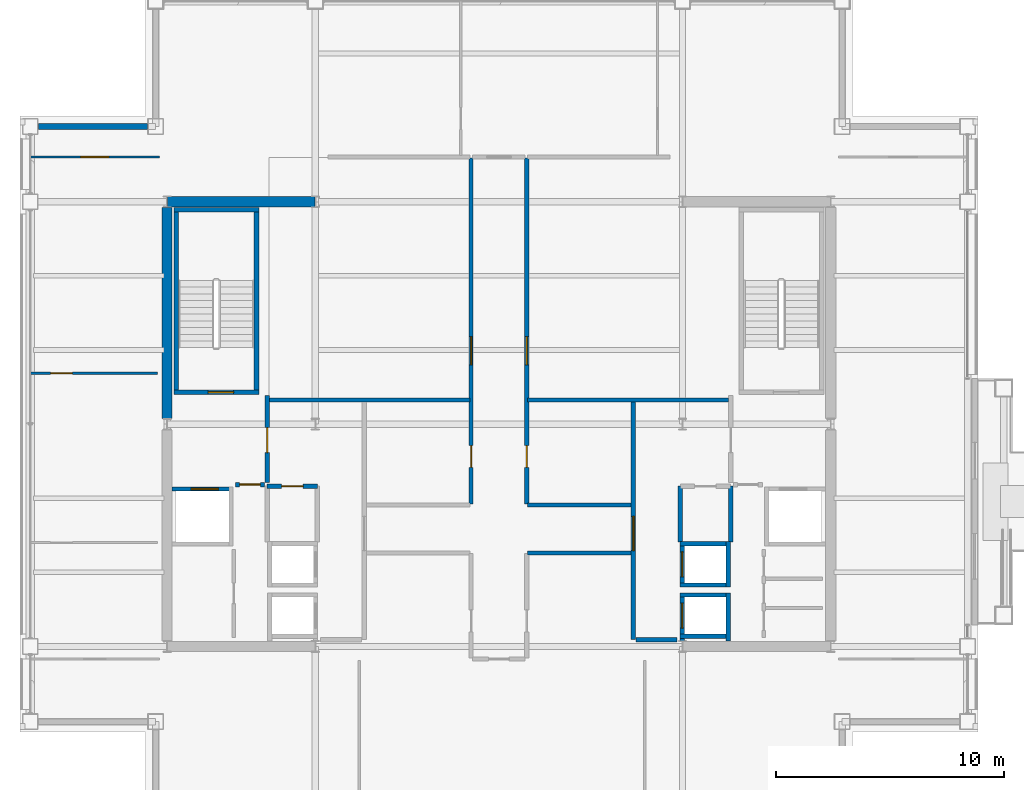
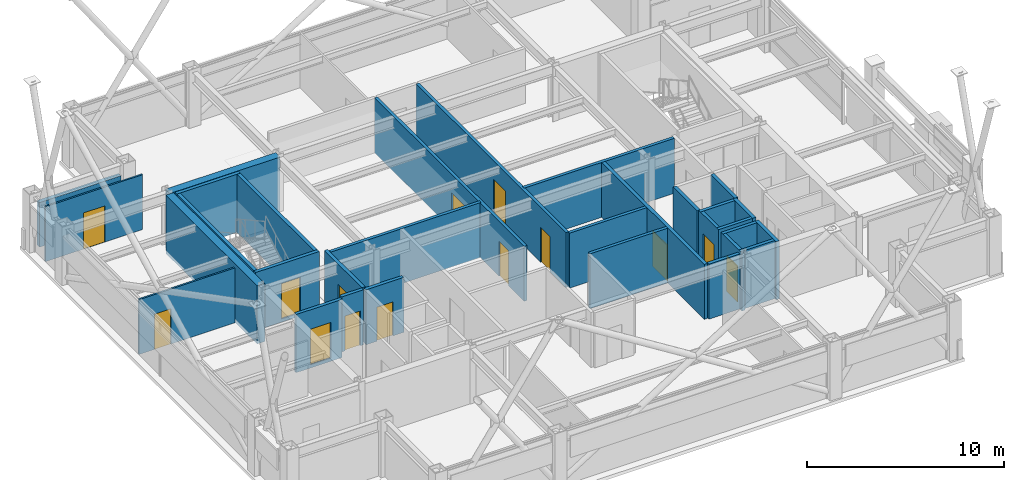
# One storey, part 29 of 33: 31 walls, 14 doors, 14 openings.
"""IFC4 building model written with IfcOpenShell, lengths in metres."""

from ifc_helpers import new_model, si_unit, direction, frame, frame_2d, origin, place, context, subcontext, project, spatial, rectangle, extrude, material, layer, layer_set, type_object, element, fill, save


model = new_model("IFC4")

# Units and contexts
model_context = context("Model", 3, precision=1e-05, world=origin(), true_north=direction((0.0, 1.0)))
body_context = subcontext(model_context, "Body", "Model", "MODEL_VIEW")
ifc_project = project(units=[si_unit("LENGTHUNIT", "METRE"), si_unit("AREAUNIT", "SQUARE_METRE"), si_unit("VOLUMEUNIT", "CUBIC_METRE"), si_unit("PLANEANGLEUNIT", "RADIAN"), si_unit("MASSUNIT", "GRAM", prefix="KILO")], contexts=[model_context])

# Site, building, storey
site_placement = place(None, origin())
site = spatial("IfcSite", under=ifc_project, at=site_placement, CompositionType="ELEMENT")
building_placement = place(site_placement, origin())
building = spatial("IfcBuilding", under=site, at=building_placement, Name="Brelmoor Portico Tower", CompositionType="ELEMENT")
storey_placement = place(building_placement, frame((0.0, 0.0, 183.89990234375)))
storey = spatial("IfcBuildingStorey", under=building, at=storey_placement, Name="L48", CompositionType="ELEMENT", Elevation=183.89990234375)

# Walls
ifc_material_1 = material(Name="Concrete C50", Category="concrete")
ifc_layer_1 = layer(ifc_material_1, 0.449951171875)
ifc_layer_set_1 = layer_set([ifc_layer_1], Name="Concrete C50")
wall_type_1 = type_object("IfcWallType", Name="WL-CORE-450", PredefinedType="SHEAR", material=ifc_layer_set_1)
wall_1_placement = place(storey_placement, frame((-14.530029296875, 9.75, -0.199951171875), z_axis=(0.0, 0.0, 1.0), x_axis=(1.0, 0.0, 0.0)))
element("IfcWall", 1, at=wall_1_placement, inside=storey, type_object=wall_type_1, Name="L48 WC North Shear Wall", PredefinedType="SHEAR", context=body_context, shape_type="SweptSolid", body=[
    extrude(rectangle(XDim=6.4599609375, YDim=0.449951171875, at=frame_2d((3.22998046875, 0.0))), origin(), (0.0, 0.0, 1.0), 3.60009765625),
])
wall_2_placement = place(storey_placement, frame((-14.550048828125, 0.25, -0.199951171875), z_axis=(0.0, 0.0, 1.0), x_axis=(0.0, 1.0, 0.0)))
element("IfcWall", 2, at=wall_2_placement, inside=storey, type_object=wall_type_1, Name="L48 WC Outer North Shear Wall", PredefinedType="SHEAR", context=body_context, shape_type="SweptSolid", body=[
    extrude(rectangle(XDim=9.25, YDim=0.449951171875, at=frame_2d((4.625, 0.0))), origin(), (0.0, 0.0, 1.0), 3.60009765625),
])
ifc_material_2 = material(Name="Precast Concrete C40 Insulated Facade Wall", Category="concrete")
ifc_layer_2 = layer(ifc_material_2, 0.25)
ifc_layer_set_2 = layer_set([ifc_layer_2], Name="Precast Concrete C40 Insulated Facade Wall")
wall_type_2 = type_object("IfcWallType", Name="WL-EXT-250", PredefinedType="STANDARD", material=ifc_layer_set_2)
wall_3_placement = place(storey_placement, frame((-20.18994140625, 13.050048828125, 0.0), z_axis=(0.0, 0.0, 1.0), x_axis=(1.0, 0.0, 0.0)))
element("IfcWall", 3, at=wall_3_placement, inside=storey, type_object=wall_type_2, Name="L48 Corner Notch Facade Wall NNWH1", PredefinedType="STANDARD", context=body_context, shape_type="SweptSolid", body=[
    extrude(rectangle(XDim=4.780029296875, YDim=0.25, at=frame_2d((2.39013671875, 0.0))), origin(), (0.0, 0.0, 1.0), 2.75),
])

# Wall, opening, door
ifc_material_3 = material(Name="Demountable Glazed Office Partition", Category="aluminium")
ifc_layer_3 = layer(ifc_material_3, 0.10009765625)
ifc_layer_set_3 = layer_set([ifc_layer_3], Name="Demountable Glazed Office Partition")
wall_type_3 = type_object("IfcWallType", Name="WL-PART-100", PredefinedType="PARTITIONING", material=ifc_layer_set_3)
wall_4_placement = place(storey_placement, frame((-20.56005859375, 11.7099609375, 0.0), z_axis=(0.0, 0.0, 1.0), x_axis=(1.0, 0.0, 0.0)))
wall_4 = element("IfcWall", 4, at=wall_4_placement, inside=storey, type_object=wall_type_3, Name="L48 North Wing Suite Wall WL", PredefinedType="PARTITIONING", context=body_context, shape_type="SweptSolid", body=[
    extrude(rectangle(XDim=5.68017578125, YDim=0.10009765625, at=frame_2d((2.840087890625, 0.0))), origin(), (0.0, 0.0, 1.0), 3.400146484375),
])
opening_1_placement = place(wall_4_placement, frame((2.219970703125, 0.0, 0.0)))
opening_1 = element("IfcOpeningElement", 5, at=opening_1_placement, cuts=wall_4, Name="Opening D-SU1", PredefinedType="OPENING", context=body_context, shape_type="SweptSolid", body=[
    extrude(rectangle(XDim=1.239990234375, YDim=2.239990234375, at=frame_2d((0.6201171875, 1.1201171875))), frame((0.0, 0.06005859375, 0.0), z_axis=(0.0, -1.0, 0.0), x_axis=(1.0, 0.0, 0.0)), (0.0, 0.0, 1.0), 0.1201171875),
])
ifc_material_4 = material(Name="Glazed Timber Executive Suite Door", Category="wood")
door_type_1 = type_object("IfcDoorType", Name="DR-SUITE-1200", OperationType="NOTDEFINED", PredefinedType="DOOR", material=ifc_material_4)
door_1_placement = place(opening_1_placement, origin())
door_1 = element("IfcDoor", 6, at=door_1_placement, inside=storey, type_object=door_type_1, Name="D-2046 L48 WL Wing Suite Connecting Door", OperationType="SINGLE_SWING_LEFT", OverallHeight=2.239990234375, OverallWidth=1.239990234375, PredefinedType="DOOR", context=body_context, shape_type="SweptSolid", body=[
    extrude(rectangle(XDim=1.239990234375, YDim=2.239990234375, at=frame_2d((0.6201171875, 1.1201171875))), frame((0.0, 0.02490234375, 0.0), z_axis=(0.0, -1.0, 0.0), x_axis=(1.0, 0.0, 0.0)), (0.0, 0.0, 1.0), 0.050048828125),
])
fill(opening_1, door_1)

wall_5_placement = place(storey_placement, frame((-20.56005859375, 2.234619140625, 0.0), z_axis=(0.0, 0.0, 1.0), x_axis=(1.0, 0.0, 0.0)))
wall_5 = element("IfcWall", 7, at=wall_5_placement, inside=storey, type_object=wall_type_3, Name="L48 W Wing Partition 2", PredefinedType="PARTITIONING", context=body_context, shape_type="SweptSolid", body=[
    extrude(rectangle(XDim=5.60009765625, YDim=0.10009765625, at=frame_2d((2.800048828125, 0.0))), origin(), (0.0, 0.0, 1.0), 3.400146484375),
])
opening_2_placement = place(wall_5_placement, frame((0.89990234375, 0.0, 0.0)))
opening_2 = element("IfcOpeningElement", 8, at=opening_2_placement, cuts=wall_5, Name="Opening D-IN2", PredefinedType="OPENING", context=body_context, shape_type="SweptSolid", body=[
    extrude(rectangle(XDim=0.9599609375, YDim=2.179931640625, at=frame_2d((0.47998046875, 1.08984375))), frame((0.0, 0.06005859375, 0.0), z_axis=(0.0, -1.0, 0.0), x_axis=(1.0, 0.0, 0.0)), (0.0, 0.0, 1.0), 0.1201171875),
])
ifc_material_5 = material(Name="Lacquered Timber Suite Door", Category="wood")
door_type_2 = type_object("IfcDoorType", Name="DR-INT-950", OperationType="NOTDEFINED", PredefinedType="DOOR", material=ifc_material_5)
door_2_placement = place(opening_2_placement, origin())
door_2 = element("IfcDoor", 9, at=door_2_placement, inside=storey, type_object=door_type_2, Name="D-2056 L48 W Wing Suite Connecting Door 2", OperationType="SINGLE_SWING_LEFT", OverallHeight=2.179931640625, OverallWidth=0.9599609375, PredefinedType="DOOR", context=body_context, shape_type="SweptSolid", body=[
    extrude(rectangle(XDim=0.9599609375, YDim=2.179931640625, at=frame_2d((0.47998046875, 1.08984375))), frame((0.0, 0.02490234375, 0.0), z_axis=(0.0, -1.0, 0.0), x_axis=(1.0, 0.0, 0.0)), (0.0, 0.0, 1.0), 0.050048828125),
])
fill(opening_2, door_2)

# Wall
ifc_material_6 = material(Name="Acoustic Corridor Fire Partition", Category="gypsum")
ifc_layer_4 = layer(ifc_material_6, 0.179931640625)
ifc_layer_set_4 = layer_set([ifc_layer_4], Name="Acoustic Corridor Fire Partition")
wall_type_4 = type_object("IfcWallType", Name="WL-PART-180", PredefinedType="PARTITIONING", material=ifc_layer_set_4)
wall_6_placement = place(storey_placement, frame((-10.050048828125, 1.050048828125, 0.0), z_axis=(0.0, 0.0, 1.0), x_axis=(1.0, 0.0, 0.0)))
element("IfcWall", 10, at=wall_6_placement, inside=storey, type_object=wall_type_4, Name="L48 West Reclaimed Suite South Wall", PredefinedType="PARTITIONING", context=body_context, shape_type="SweptSolid", body=[
    extrude(rectangle(XDim=8.7900390625, YDim=0.179931640625, at=frame_2d((4.39501953125, 0.0))), origin(), (0.0, 0.0, 1.0), 3.400146484375),
])

# Wall, openings, doors
wall_7_placement = place(storey_placement, frame((-1.219970703125, -3.5, 0.0), z_axis=(0.0, 0.0, 1.0), x_axis=(0.0, 1.0, 0.0)))
wall_7 = element("IfcWall", 11, at=wall_7_placement, inside=storey, type_object=wall_type_4, Name="L48 Central Cross West Wall", PredefinedType="PARTITIONING", context=body_context, shape_type="SweptSolid", body=[
    extrude(rectangle(XDim=15.169921875, YDim=0.179931640625, at=frame_2d((7.5849609375, 0.0))), origin(), (0.0, 0.0, 1.0), 3.400146484375),
])
opening_3_placement = place(wall_7_placement, frame((6.10009765625, 0.0, 0.0)))
opening_3 = element("IfcOpeningElement", 12, at=opening_3_placement, cuts=wall_7, Name="Opening D-SU1", PredefinedType="OPENING", context=body_context, shape_type="SweptSolid", body=[
    extrude(rectangle(XDim=1.239990234375, YDim=2.239990234375, at=frame_2d((0.6201171875, 1.1201171875))), frame((0.0, 0.099853515625, 0.0), z_axis=(0.0, -1.0, 0.0), x_axis=(1.0, 0.0, 0.0)), (0.0, 0.0, 1.0), 0.199951171875),
])
opening_4_placement = place(wall_7_placement, frame((1.60009765625, 0.0, 0.0)))
opening_4 = element("IfcOpeningElement", 13, at=opening_4_placement, cuts=wall_7, Name="Opening D-IN2", PredefinedType="OPENING", context=body_context, shape_type="SweptSolid", body=[
    extrude(rectangle(XDim=0.9599609375, YDim=2.179931640625, at=frame_2d((0.47998046875, 1.08984375))), frame((0.0, 0.099853515625, 0.0), z_axis=(0.0, -1.0, 0.0), x_axis=(1.0, 0.0, 0.0)), (0.0, 0.0, 1.0), 0.199951171875),
])
door_3_placement = place(opening_4_placement, origin())
door_3 = element("IfcDoor", 14, at=door_3_placement, inside=storey, type_object=door_type_2, Name="D-2028 L48 Staff Pantry Door", OperationType="SINGLE_SWING_LEFT", OverallHeight=2.179931640625, OverallWidth=0.9599609375, PredefinedType="DOOR", context=body_context, shape_type="SweptSolid", body=[
    extrude(rectangle(XDim=0.9599609375, YDim=2.179931640625, at=frame_2d((0.47998046875, 1.08984375))), frame((0.0, 0.02490234375, 0.0), z_axis=(0.0, -1.0, 0.0), x_axis=(1.0, 0.0, 0.0)), (0.0, 0.0, 1.0), 0.050048828125),
])
fill(opening_4, door_3)
door_4_placement = place(opening_3_placement, origin())
door_4 = element("IfcDoor", 15, at=door_4_placement, inside=storey, type_object=door_type_1, Name="D-2029 L48 West Reclaimed Studio Door", OperationType="SINGLE_SWING_RIGHT", OverallHeight=2.239990234375, OverallWidth=1.239990234375, PredefinedType="DOOR", context=body_context, shape_type="SweptSolid", body=[
    extrude(rectangle(XDim=1.239990234375, YDim=2.239990234375, at=frame_2d((0.6201171875, 1.1201171875))), frame((0.0, 0.02490234375, 0.0), z_axis=(0.0, -1.0, 0.0), x_axis=(1.0, 0.0, 0.0)), (0.0, 0.0, 1.0), 0.050048828125),
])
fill(opening_3, door_4)

# Wall
wall_8_placement = place(storey_placement, frame((1.260009765625, 1.050048828125, 0.0), z_axis=(0.0, 0.0, 1.0), x_axis=(1.0, 0.0, 0.0)))
element("IfcWall", 16, at=wall_8_placement, inside=storey, type_object=wall_type_4, Name="L48 East Suite South Wall", PredefinedType="PARTITIONING", context=body_context, shape_type="SweptSolid", body=[
    extrude(rectangle(XDim=8.800048828125, YDim=0.179931640625, at=frame_2d((4.39990234375, 0.0))), origin(), (0.0, 0.0, 1.0), 3.400146484375),
])

# Wall, openings, doors
wall_9_placement = place(storey_placement, frame((1.219970703125, -3.5, 0.0), z_axis=(0.0, 0.0, 1.0), x_axis=(0.0, 1.0, 0.0)))
wall_9 = element("IfcWall", 17, at=wall_9_placement, inside=storey, type_object=wall_type_4, Name="L48 Central Cross East Wall", PredefinedType="PARTITIONING", context=body_context, shape_type="SweptSolid", body=[
    extrude(rectangle(XDim=15.169921875, YDim=0.179931640625, at=frame_2d((7.5849609375, 0.0))), origin(), (0.0, 0.0, 1.0), 3.400146484375),
])
opening_5_placement = place(wall_9_placement, frame((6.10009765625, 0.0, 0.0)))
opening_5 = element("IfcOpeningElement", 18, at=opening_5_placement, cuts=wall_9, Name="Opening D-SU1", PredefinedType="OPENING", context=body_context, shape_type="SweptSolid", body=[
    extrude(rectangle(XDim=1.239990234375, YDim=2.239990234375, at=frame_2d((0.6201171875, 1.1201171875))), frame((0.0, 0.099853515625, 0.0), z_axis=(0.0, -1.0, 0.0), x_axis=(1.0, 0.0, 0.0)), (0.0, 0.0, 1.0), 0.199951171875),
])
opening_6_placement = place(wall_9_placement, frame((1.60009765625, 0.0, 0.0)))
opening_6 = element("IfcOpeningElement", 19, at=opening_6_placement, cuts=wall_9, Name="Opening D-IN2", PredefinedType="OPENING", context=body_context, shape_type="SweptSolid", body=[
    extrude(rectangle(XDim=0.9599609375, YDim=2.179931640625, at=frame_2d((0.47998046875, 1.08984375))), frame((0.0, 0.099853515625, 0.0), z_axis=(0.0, -1.0, 0.0), x_axis=(1.0, 0.0, 0.0)), (0.0, 0.0, 1.0), 0.199951171875),
])
door_5_placement = place(opening_6_placement, origin())
door_5 = element("IfcDoor", 20, at=door_5_placement, inside=storey, type_object=door_type_2, Name="D-2024 L48 Client Project Office Door", OperationType="SINGLE_SWING_LEFT", OverallHeight=2.179931640625, OverallWidth=0.9599609375, PredefinedType="DOOR", context=body_context, shape_type="SweptSolid", body=[
    extrude(rectangle(XDim=0.9599609375, YDim=2.179931640625, at=frame_2d((0.47998046875, 1.08984375))), frame((0.0, 0.02490234375, 0.0), z_axis=(0.0, -1.0, 0.0), x_axis=(1.0, 0.0, 0.0)), (0.0, 0.0, 1.0), 0.050048828125),
])
fill(opening_6, door_5)
door_6_placement = place(opening_5_placement, origin())
door_6 = element("IfcDoor", 21, at=door_6_placement, inside=storey, type_object=door_type_1, Name="D-2025 L48 East Reclaimed Studio Door", OperationType="SINGLE_SWING_RIGHT", OverallHeight=2.239990234375, OverallWidth=1.239990234375, PredefinedType="DOOR", context=body_context, shape_type="SweptSolid", body=[
    extrude(rectangle(XDim=1.239990234375, YDim=2.239990234375, at=frame_2d((0.6201171875, 1.1201171875))), frame((0.0, 0.02490234375, 0.0), z_axis=(0.0, -1.0, 0.0), x_axis=(1.0, 0.0, 0.0)), (0.0, 0.0, 1.0), 0.050048828125),
])
fill(opening_5, door_6)

# Walls
for number, where, z_axis, x_axis, name in (
    (22, (1.260009765625, -3.550048828125, 0.0), (0.0, 0.0, 1.0), (1.0, 0.0, 0.0), "L48 East Office South Wall"),
    (23, (1.260009765625, -5.64990234375, 0.0), (0.0, 0.0, 1.0), (1.0, 0.0, 0.0), "L48 South-East Chamber Top Wall"),
):
    element("IfcWall", number, at=place(storey_placement, frame(where, z_axis=z_axis, x_axis=x_axis)), inside=storey, type_object=wall_type_4, Name=name, PredefinedType="PARTITIONING", context=body_context, shape_type="SweptSolid", body=[
        extrude(rectangle(XDim=4.5400390625, YDim=0.179931640625, at=frame_2d((2.27001953125, 0.0))), origin(), (0.0, 0.0, 1.0), 3.400146484375),
    ])

# Wall, opening, door
ifc_material_7 = material(Name="Double-Stud Gypsum Fire Partition", Category="gypsum")
ifc_layer_5 = layer(ifc_material_7, 0.199951171875)
ifc_layer_set_5 = layer_set([ifc_layer_5], Name="Double-Stud Gypsum Fire Partition")
wall_type_5 = type_object("IfcWallType", Name="WL-PART-200", PredefinedType="PARTITIONING", material=ifc_layer_set_5)
wall_10_placement = place(storey_placement, frame((-10.159912109375, -2.550048828125, 0.0), z_axis=(0.0, 0.0, 1.0), x_axis=(0.0, 1.0, 0.0)))
wall_10 = element("IfcWall", 24, at=wall_10_placement, inside=storey, type_object=wall_type_5, Name="L48 W Firefighting Lobby Wall", PredefinedType="PARTITIONING", context=body_context, shape_type="SweptSolid", body=[
    extrude(rectangle(XDim=3.800048828125, YDim=0.199951171875, at=frame_2d((1.89990234375, 0.0))), origin(), (0.0, 0.0, 1.0), 3.400146484375),
])
opening_7_placement = place(wall_10_placement, frame((1.300048828125, 0.0, 0.0)))
opening_7 = element("IfcOpeningElement", 25, at=opening_7_placement, cuts=wall_10, Name="Opening D-FR1", PredefinedType="OPENING", context=body_context, shape_type="SweptSolid", body=[
    extrude(rectangle(XDim=1.10009765625, YDim=2.14990234375, at=frame_2d((0.550048828125, 1.074951171875))), frame((0.0, 0.10986328125, 0.0), z_axis=(0.0, -1.0, 0.0), x_axis=(1.0, 0.0, 0.0)), (0.0, 0.0, 1.0), 0.219970703125),
])
ifc_material_8 = material(Name="Painted Galvanised Steel Fire Door", Category="steel")
door_type_3 = type_object("IfcDoorType", Name="DR-FIRE-1100", OperationType="NOTDEFINED", PredefinedType="DOOR", material=ifc_material_8)
door_7_placement = place(opening_7_placement, origin())
door_7 = element("IfcDoor", 26, at=door_7_placement, inside=storey, type_object=door_type_3, Name="D-2039 L48 W Firefighting Lobby Door", OperationType="SINGLE_SWING_RIGHT", OverallHeight=2.14990234375, OverallWidth=1.10009765625, PredefinedType="DOOR", context=body_context, shape_type="SweptSolid", body=[
    extrude(rectangle(XDim=1.10009765625, YDim=2.14990234375, at=frame_2d((0.550048828125, 1.074951171875))), frame((0.0, 0.02490234375, 0.0), z_axis=(0.0, -1.0, 0.0), x_axis=(1.0, 0.0, 0.0)), (0.0, 0.0, 1.0), 0.050048828125),
])
fill(opening_7, door_7)

wall_11_placement = place(storey_placement, frame((-10.280029296875, -2.64990234375, 0.0), z_axis=(0.0, 0.0, 1.0), x_axis=(-1.0, 0.0, 0.0)))
wall_11 = element("IfcWall", 27, at=wall_11_placement, inside=storey, type_object=wall_type_5, Name="L48 W Firefighting Lobby South Wall", PredefinedType="PARTITIONING", context=body_context, shape_type="SweptSolid", body=[
    extrude(rectangle(XDim=1.27001953125, YDim=0.199951171875, at=frame_2d((0.635009765625, 0.0))), origin(), (0.0, 0.0, 1.0), 3.400146484375),
])
opening_8_placement = place(wall_11_placement, frame((0.18505859375, 0.0, 0.0)))
opening_8 = element("IfcOpeningElement", 28, at=opening_8_placement, cuts=wall_11, Name="Opening D-IN1", PredefinedType="OPENING", context=body_context, shape_type="SweptSolid", body=[
    extrude(rectangle(XDim=0.89990234375, YDim=2.14990234375, at=frame_2d((0.449951171875, 1.074951171875))), frame((0.0, 0.10986328125, 0.0), z_axis=(0.0, -1.0, 0.0), x_axis=(1.0, 0.0, 0.0)), (0.0, 0.0, 1.0), 0.219970703125),
])
door_type_4 = type_object("IfcDoorType", Name="DR-INT-900", OperationType="NOTDEFINED", PredefinedType="DOOR", material=ifc_material_5)
door_8_placement = place(opening_8_placement, origin())
door_8 = element("IfcDoor", 29, at=door_8_placement, inside=storey, type_object=door_type_4, Name="D-2034 L48 W Core Service Vestibule Door", OperationType="SINGLE_SWING_LEFT", OverallHeight=2.14990234375, OverallWidth=0.89990234375, PredefinedType="DOOR", context=body_context, shape_type="SweptSolid", body=[
    extrude(rectangle(XDim=0.89990234375, YDim=2.14990234375, at=frame_2d((0.449951171875, 1.074951171875))), frame((0.0, 0.02490234375, 0.0), z_axis=(0.0, -1.0, 0.0), x_axis=(1.0, 0.0, 0.0)), (0.0, 0.0, 1.0), 0.050048828125),
])
fill(opening_8, door_8)

wall_12_placement = place(storey_placement, frame((-7.9599609375, -2.719970703125, 0.0), z_axis=(0.0, 0.0, 1.0), x_axis=(-1.0, 0.0, 0.0)))
wall_12 = element("IfcWall", 30, at=wall_12_placement, inside=storey, type_object=wall_type_5, Name="L48 W Electrical Switchgear Closet Wall", PredefinedType="PARTITIONING", context=body_context, shape_type="SweptSolid", body=[
    extrude(rectangle(XDim=2.199951171875, YDim=0.199951171875, at=frame_2d((1.10009765625, 0.0))), origin(), (0.0, 0.0, 1.0), 3.400146484375),
])
opening_9_placement = place(wall_12_placement, frame((0.6201171875, 0.0, 0.0)))
opening_9 = element("IfcOpeningElement", 31, at=opening_9_placement, cuts=wall_12, Name="Opening D-FR4", PredefinedType="OPENING", context=body_context, shape_type="SweptSolid", body=[
    extrude(rectangle(XDim=0.949951171875, YDim=2.10009765625, at=frame_2d((0.47509765625, 1.050048828125))), frame((0.0, 0.10986328125, 0.0), z_axis=(0.0, -1.0, 0.0), x_axis=(1.0, 0.0, 0.0)), (0.0, 0.0, 1.0), 0.219970703125),
])
ifc_material_9 = material(Name="Painted Galvanised Steel Riser Door", Category="steel")
door_type_5 = type_object("IfcDoorType", Name="DR-FIRE-950", OperationType="NOTDEFINED", PredefinedType="DOOR", material=ifc_material_9)
door_9_placement = place(opening_9_placement, origin())
door_9 = element("IfcDoor", 32, at=door_9_placement, inside=storey, type_object=door_type_5, Name="D-2037 L48 W Electrical Switchgear Closet Door", OperationType="SINGLE_SWING_RIGHT", OverallHeight=2.10009765625, OverallWidth=0.949951171875, PredefinedType="DOOR", context=body_context, shape_type="SweptSolid", body=[
    extrude(rectangle(XDim=0.949951171875, YDim=2.10009765625, at=frame_2d((0.47509765625, 1.050048828125))), frame((0.0, 0.02490234375, 0.0), z_axis=(0.0, -1.0, 0.0), x_axis=(1.0, 0.0, 0.0)), (0.0, 0.0, 1.0), 0.050048828125),
])
fill(opening_9, door_9)

wall_13_placement = place(storey_placement, frame((5.89990234375, -9.449951171875, 0.0), z_axis=(0.0, 0.0, 1.0), x_axis=(0.0, 1.0, 0.0)))
wall_13 = element("IfcWall", 33, at=wall_13_placement, inside=storey, type_object=wall_type_5, Name="L48 E Core Lobby Compartment Wall", PredefinedType="PARTITIONING", context=body_context, shape_type="SweptSolid", body=[
    extrude(rectangle(XDim=10.5, YDim=0.199951171875, at=frame_2d((5.25, 0.0))), origin(), (0.0, 0.0, 1.0), 3.400146484375),
])
opening_10_placement = place(wall_13_placement, frame((3.89990234375, 0.0, 0.0)))
opening_10 = element("IfcOpeningElement", 34, at=opening_10_placement, cuts=wall_13, Name="Opening D-LB1", PredefinedType="OPENING", context=body_context, shape_type="SweptSolid", body=[
    extrude(rectangle(XDim=1.5, YDim=2.199951171875, at=frame_2d((0.75, 1.10009765625))), frame((0.0, 0.10986328125, 0.0), z_axis=(0.0, -1.0, 0.0), x_axis=(1.0, 0.0, 0.0)), (0.0, 0.0, 1.0), 0.219970703125),
])
ifc_material_10 = material(Name="Double-Leaf Glazed Steel Fire Door", Category="steel")
door_type_6 = type_object("IfcDoorType", Name="DR-LOBBY-1500", OperationType="NOTDEFINED", PredefinedType="DOOR", material=ifc_material_10)
door_10_placement = place(opening_10_placement, origin())
door_10 = element("IfcDoor", 35, at=door_10_placement, inside=storey, type_object=door_type_6, Name="D-2040 L48 E Lift Lobby Main Door", OperationType="DOUBLE_DOOR_SINGLE_SWING", OverallHeight=2.199951171875, OverallWidth=1.5, PredefinedType="DOOR", context=body_context, shape_type="SweptSolid", body=[
    extrude(rectangle(XDim=1.5, YDim=2.199951171875, at=frame_2d((0.75, 1.10009765625))), frame((0.0, 0.02490234375, 0.0), z_axis=(0.0, -1.0, 0.0), x_axis=(1.0, 0.0, 0.0)), (0.0, 0.0, 1.0), 0.050048828125),
])
fill(opening_10, door_10)

# Walls
wall_14_placement = place(storey_placement, frame((6.02001953125, -9.449951171875, 0.0), z_axis=(0.0, 0.0, 1.0), x_axis=(1.0, 0.0, 0.0)))
element("IfcWall", 36, at=wall_14_placement, inside=storey, type_object=wall_type_5, Name="L48 E Lift Lobby South End Wall", PredefinedType="PARTITIONING", context=body_context, shape_type="SweptSolid", body=[
    extrude(rectangle(XDim=1.800048828125, YDim=0.199951171875, at=frame_2d((0.89990234375, 0.0))), origin(), (0.0, 0.0, 1.0), 3.400146484375),
])
for number, where, z_axis, x_axis, name in (
    (37, (7.9599609375, -5.159912109375, 0.0), (0.0, 0.0, 1.0), (0.0, 1.0, 0.0), "L48 E Electrical Switchgear Closet Inner Wall"),
    (38, (10.159912109375, -5.159912109375, 0.0), (0.0, 0.0, 1.0), (0.0, 1.0, 0.0), "L48 E Electrical Switchgear Closet Outer Wall"),
):
    element("IfcWall", number, at=place(storey_placement, frame(where, z_axis=z_axis, x_axis=x_axis)), inside=storey, type_object=wall_type_5, Name=name, PredefinedType="PARTITIONING", context=body_context, shape_type="SweptSolid", body=[
        extrude(rectangle(XDim=2.43994140625, YDim=0.199951171875, at=frame_2d((1.219970703125, 0.0))), origin(), (0.0, 0.0, 1.0), 3.400146484375),
    ])

# Wall, opening, door
ifc_material_11 = material(Name="Precast Concrete C40", Category="concrete")
ifc_layer_6 = layer(ifc_material_11, 0.18994140625)
ifc_layer_set_6 = layer_set([ifc_layer_6], Name="Precast Concrete C40")
wall_type_6 = type_object("IfcWallType", Name="WL-SHAFT-180", PredefinedType="SOLIDWALL", material=ifc_layer_set_6)
wall_15_placement = place(storey_placement, frame((8.044921875, -9.52001953125, -0.199951171875), z_axis=(0.0, 0.0, 1.0), x_axis=(0.0, 1.0, 0.0)))
wall_15 = element("IfcWall", 39, at=wall_15_placement, inside=storey, type_object=wall_type_6, Name="L48 Lift PH3 Hoistway Front Wall", PredefinedType="SOLIDWALL", context=body_context, shape_type="SweptSolid", body=[
    extrude(rectangle(XDim=2.1201171875, YDim=0.18994140625, at=frame_2d((1.06005859375, 0.0))), origin(), (0.0, 0.0, 1.0), 3.60009765625),
])
opening_11_placement = place(wall_15_placement, frame((0.570068359375, 0.0, 0.199951171875)))
opening_11 = element("IfcOpeningElement", 40, at=opening_11_placement, cuts=wall_15, Name="Opening LD-01", PredefinedType="OPENING", context=body_context, shape_type="SweptSolid", body=[
    extrude(rectangle(XDim=1.10009765625, YDim=2.199951171875, at=frame_2d((0.550048828125, 1.10009765625))), frame((0.0, 0.10498046875, 0.0), z_axis=(0.0, -1.0, 0.0), x_axis=(1.0, 0.0, 0.0)), (0.0, 0.0, 1.0), 0.2099609375),
])
ifc_material_12 = material(Name="Brushed Stainless Steel Sliding Lift Door", Category="steel")
door_type_7 = type_object("IfcDoorType", Name="DR-LIFT-1100", OperationType="NOTDEFINED", PredefinedType="DOOR", material=ifc_material_12)
door_11_placement = place(opening_11_placement, origin())
door_11 = element("IfcDoor", 41, at=door_11_placement, inside=storey, type_object=door_type_7, Name="D-2061 L48 Lift PH3 Sliding Landing Door", OperationType="SLIDING_TO_LEFT", OverallHeight=2.199951171875, OverallWidth=1.10009765625, PredefinedType="DOOR", context=body_context, shape_type="SweptSolid", body=[
    extrude(rectangle(XDim=1.10009765625, YDim=2.199951171875, at=frame_2d((0.550048828125, 1.10009765625))), frame((0.0, 0.02490234375, 0.0), z_axis=(0.0, -1.0, 0.0), x_axis=(1.0, 0.0, 0.0)), (0.0, 0.0, 1.0), 0.050048828125),
])
fill(opening_11, door_11)

# Walls
wall_16_placement = place(storey_placement, frame((10.054931640625, -9.52001953125, -0.199951171875), z_axis=(0.0, 0.0, 1.0), x_axis=(0.0, 1.0, 0.0)))
element("IfcWall", 42, at=wall_16_placement, inside=storey, type_object=wall_type_6, Name="L48 Lift PH3 Hoistway Back Wall", PredefinedType="SOLIDWALL", context=body_context, shape_type="SweptSolid", body=[
    extrude(rectangle(XDim=2.1201171875, YDim=0.18994140625, at=frame_2d((1.06005859375, 0.0))), origin(), (0.0, 0.0, 1.0), 3.60009765625),
])
for number, where, z_axis, x_axis, name in (
    (43, (7.949951171875, -7.4951171875, -0.199951171875), (0.0, 0.0, 1.0), (1.0, 0.0, 0.0), "L48 Lift PH3 Hoistway North Wall"),
    (44, (7.949951171875, -9.304931640625, -0.199951171875), (0.0, 0.0, 1.0), (1.0, 0.0, 0.0), "L48 Lift PH3 Hoistway South Wall"),
):
    element("IfcWall", number, at=place(storey_placement, frame(where, z_axis=z_axis, x_axis=x_axis)), inside=storey, type_object=wall_type_6, Name=name, PredefinedType="SOLIDWALL", context=body_context, shape_type="SweptSolid", body=[
        extrude(rectangle(XDim=2.199951171875, YDim=0.18994140625, at=frame_2d((1.10009765625, 0.0))), origin(), (0.0, 0.0, 1.0), 3.60009765625),
    ])

# Wall, opening, door
wall_17_placement = place(storey_placement, frame((8.044921875, -7.14990234375, -0.199951171875), z_axis=(0.0, 0.0, 1.0), x_axis=(0.0, 1.0, 0.0)))
wall_17 = element("IfcWall", 45, at=wall_17_placement, inside=storey, type_object=wall_type_6, Name="L48 Lift PH4 Hoistway Front Wall", PredefinedType="SOLIDWALL", context=body_context, shape_type="SweptSolid", body=[
    extrude(rectangle(XDim=2.0, YDim=0.18994140625, at=frame_2d((1.0, 0.0))), origin(), (0.0, 0.0, 1.0), 3.60009765625),
])
opening_12_placement = place(wall_17_placement, frame((0.449951171875, 0.0, 0.199951171875)))
opening_12 = element("IfcOpeningElement", 46, at=opening_12_placement, cuts=wall_17, Name="Opening LD-01", PredefinedType="OPENING", context=body_context, shape_type="SweptSolid", body=[
    extrude(rectangle(XDim=1.10009765625, YDim=2.199951171875, at=frame_2d((0.550048828125, 1.10009765625))), frame((0.0, 0.10498046875, 0.0), z_axis=(0.0, -1.0, 0.0), x_axis=(1.0, 0.0, 0.0)), (0.0, 0.0, 1.0), 0.2099609375),
])
door_12_placement = place(opening_12_placement, origin())
door_12 = element("IfcDoor", 47, at=door_12_placement, inside=storey, type_object=door_type_7, Name="D-2062 L48 Lift PH4 Sliding Landing Door", OperationType="SLIDING_TO_LEFT", OverallHeight=2.199951171875, OverallWidth=1.10009765625, PredefinedType="DOOR", context=body_context, shape_type="SweptSolid", body=[
    extrude(rectangle(XDim=1.10009765625, YDim=2.199951171875, at=frame_2d((0.550048828125, 1.10009765625))), frame((0.0, 0.02490234375, 0.0), z_axis=(0.0, -1.0, 0.0), x_axis=(1.0, 0.0, 0.0)), (0.0, 0.0, 1.0), 0.050048828125),
])
fill(opening_12, door_12)

# Walls
wall_18_placement = place(storey_placement, frame((10.054931640625, -7.14990234375, -0.199951171875), z_axis=(0.0, 0.0, 1.0), x_axis=(0.0, 1.0, 0.0)))
element("IfcWall", 48, at=wall_18_placement, inside=storey, type_object=wall_type_6, Name="L48 Lift PH4 Hoistway Back Wall", PredefinedType="SOLIDWALL", context=body_context, shape_type="SweptSolid", body=[
    extrude(rectangle(XDim=2.0, YDim=0.18994140625, at=frame_2d((1.0, 0.0))), origin(), (0.0, 0.0, 1.0), 3.60009765625),
])
for number, where, z_axis, x_axis, name in (
    (49, (7.949951171875, -5.2451171875, -0.199951171875), (0.0, 0.0, 1.0), (1.0, 0.0, 0.0), "L48 Lift PH4 Hoistway North Wall"),
    (50, (7.949951171875, -7.054931640625, -0.199951171875), (0.0, 0.0, 1.0), (1.0, 0.0, 0.0), "L48 Lift PH4 Hoistway South Wall"),
):
    element("IfcWall", number, at=place(storey_placement, frame(where, z_axis=z_axis, x_axis=x_axis)), inside=storey, type_object=wall_type_6, Name=name, PredefinedType="SOLIDWALL", context=body_context, shape_type="SweptSolid", body=[
        extrude(rectangle(XDim=2.199951171875, YDim=0.18994140625, at=frame_2d((1.10009765625, 0.0))), origin(), (0.0, 0.0, 1.0), 3.60009765625),
    ])

# Wall, opening, door
wall_19_placement = place(storey_placement, frame((-14.330078125, -2.844970703125, -0.199951171875), z_axis=(0.0, 0.0, 1.0), x_axis=(1.0, 0.0, 0.0)))
wall_19 = element("IfcWall", 51, at=wall_19_placement, inside=storey, type_object=wall_type_6, Name="L48 Lift FF1 Hoistway Front Wall", PredefinedType="SOLIDWALL", context=body_context, shape_type="SweptSolid", body=[
    extrude(rectangle(XDim=2.68017578125, YDim=0.18994140625, at=frame_2d((1.340087890625, 0.0))), origin(), (0.0, 0.0, 1.0), 3.60009765625),
])
opening_13_placement = place(wall_19_placement, frame((0.830078125, 0.0, 0.199951171875)))
opening_13 = element("IfcOpeningElement", 52, at=opening_13_placement, cuts=wall_19, Name="Opening LD-02", PredefinedType="OPENING", context=body_context, shape_type="SweptSolid", body=[
    extrude(rectangle(XDim=1.199951171875, YDim=2.199951171875, at=frame_2d((0.60009765625, 1.10009765625))), frame((0.0, 0.10498046875, 0.0), z_axis=(0.0, -1.0, 0.0), x_axis=(1.0, 0.0, 0.0)), (0.0, 0.0, 1.0), 0.2099609375),
])
ifc_material_13 = material(Name="Brushed Stainless Steel Firefighting Lift Door", Category="steel")
door_type_8 = type_object("IfcDoorType", Name="DR-LIFT-1200", OperationType="NOTDEFINED", PredefinedType="DOOR", material=ifc_material_13)
door_13_placement = place(opening_13_placement, origin())
door_13 = element("IfcDoor", 53, at=door_13_placement, inside=storey, type_object=door_type_8, Name="D-2057 L48 Lift FF1 Sliding Landing Door", OperationType="SLIDING_TO_LEFT", OverallHeight=2.199951171875, OverallWidth=1.199951171875, PredefinedType="DOOR", context=body_context, shape_type="SweptSolid", body=[
    extrude(rectangle(XDim=1.199951171875, YDim=2.199951171875, at=frame_2d((0.60009765625, 1.10009765625))), frame((0.0, 0.02490234375, 0.0), z_axis=(0.0, -1.0, 0.0), x_axis=(1.0, 0.0, 0.0)), (0.0, 0.0, 1.0), 0.050048828125),
])
fill(opening_13, door_13)

# Wall
ifc_material_14 = material(Name="Concrete C40", Category="concrete")
ifc_layer_7 = layer(ifc_material_14, 0.199951171875)
ifc_layer_set_7 = layer_set([ifc_layer_7], Name="Concrete C40")
wall_type_7 = type_object("IfcWallType", Name="WL-SHAFT-RC200", PredefinedType="SOLIDWALL", material=ifc_layer_set_7)
wall_20_placement = place(storey_placement, frame((-14.14990234375, 1.5, -0.199951171875), z_axis=(0.0, 0.0, 1.0), x_axis=(0.0, 1.0, 0.0)))
element("IfcWall", 54, at=wall_20_placement, inside=storey, type_object=wall_type_7, Name="L48 ST-W Structural Stair Wall Outer", PredefinedType="SOLIDWALL", context=body_context, shape_type="SweptSolid", body=[
    extrude(rectangle(XDim=7.800048828125, YDim=0.199951171875, at=frame_2d((3.89990234375, 0.0))), origin(), (0.0, 0.0, 1.0), 3.60009765625),
])

# Wall, opening, door
wall_21_placement = place(storey_placement, frame((-14.25, 1.39990234375, -0.199951171875), z_axis=(0.0, 0.0, 1.0), x_axis=(1.0, 0.0, 0.0)))
wall_21 = element("IfcWall", 55, at=wall_21_placement, inside=storey, type_object=wall_type_7, Name="L48 ST-W Structural Stair Wall S", PredefinedType="SOLIDWALL", context=body_context, shape_type="SweptSolid", body=[
    extrude(rectangle(XDim=3.719970703125, YDim=0.199951171875, at=frame_2d((1.85986328125, 0.0))), origin(), (0.0, 0.0, 1.0), 3.60009765625),
])
opening_14_placement = place(wall_21_placement, frame((1.5, 0.0, 0.199951171875)))
opening_14 = element("IfcOpeningElement", 56, at=opening_14_placement, cuts=wall_21, Name="Opening D-ST1", PredefinedType="OPENING", context=body_context, shape_type="SweptSolid", body=[
    extrude(rectangle(XDim=1.1201171875, YDim=2.179931640625, at=frame_2d((0.56005859375, 1.08984375))), frame((0.0, 0.10986328125, 0.0), z_axis=(0.0, -1.0, 0.0), x_axis=(1.0, 0.0, 0.0)), (0.0, 0.0, 1.0), 0.219970703125),
])
door_type_9 = type_object("IfcDoorType", Name="DR-STAIR-1100", OperationType="NOTDEFINED", PredefinedType="DOOR", material=ifc_material_8)
door_14_placement = place(opening_14_placement, origin())
door_14 = element("IfcDoor", 57, at=door_14_placement, inside=storey, type_object=door_type_9, Name="D-2051 L48 ST-W Protected Exit Stair Door", OperationType="SINGLE_SWING_LEFT", OverallHeight=2.179931640625, OverallWidth=1.1201171875, PredefinedType="DOOR", context=body_context, shape_type="SweptSolid", body=[
    extrude(rectangle(XDim=1.1201171875, YDim=2.179931640625, at=frame_2d((0.56005859375, 1.08984375))), frame((0.0, 0.02490234375, 0.0), z_axis=(0.0, -1.0, 0.0), x_axis=(1.0, 0.0, 0.0)), (0.0, 0.0, 1.0), 0.050048828125),
])
fill(opening_14, door_14)

# Walls
wall_22_placement = place(storey_placement, frame((-14.25, 9.39990234375, -0.199951171875), z_axis=(0.0, 0.0, 1.0), x_axis=(1.0, 0.0, 0.0)))
element("IfcWall", 58, at=wall_22_placement, inside=storey, type_object=wall_type_7, Name="L48 ST-W Structural Stair Wall N", PredefinedType="SOLIDWALL", context=body_context, shape_type="SweptSolid", body=[
    extrude(rectangle(XDim=3.719970703125, YDim=0.199951171875, at=frame_2d((1.85986328125, 0.0))), origin(), (0.0, 0.0, 1.0), 3.60009765625),
])
wall_23_placement = place(storey_placement, frame((-10.6298828125, 1.5, -0.199951171875), z_axis=(0.0, 0.0, 1.0), x_axis=(0.0, 1.0, 0.0)))
element("IfcWall", 59, at=wall_23_placement, inside=storey, type_object=wall_type_7, Name="L48 ST-W Structural Stair Wall Inner", PredefinedType="SOLIDWALL", context=body_context, shape_type="SweptSolid", body=[
    extrude(rectangle(XDim=7.800048828125, YDim=0.199951171875, at=frame_2d((3.89990234375, 0.0))), origin(), (0.0, 0.0, 1.0), 3.60009765625),
])

save(model, "model.ifc")
